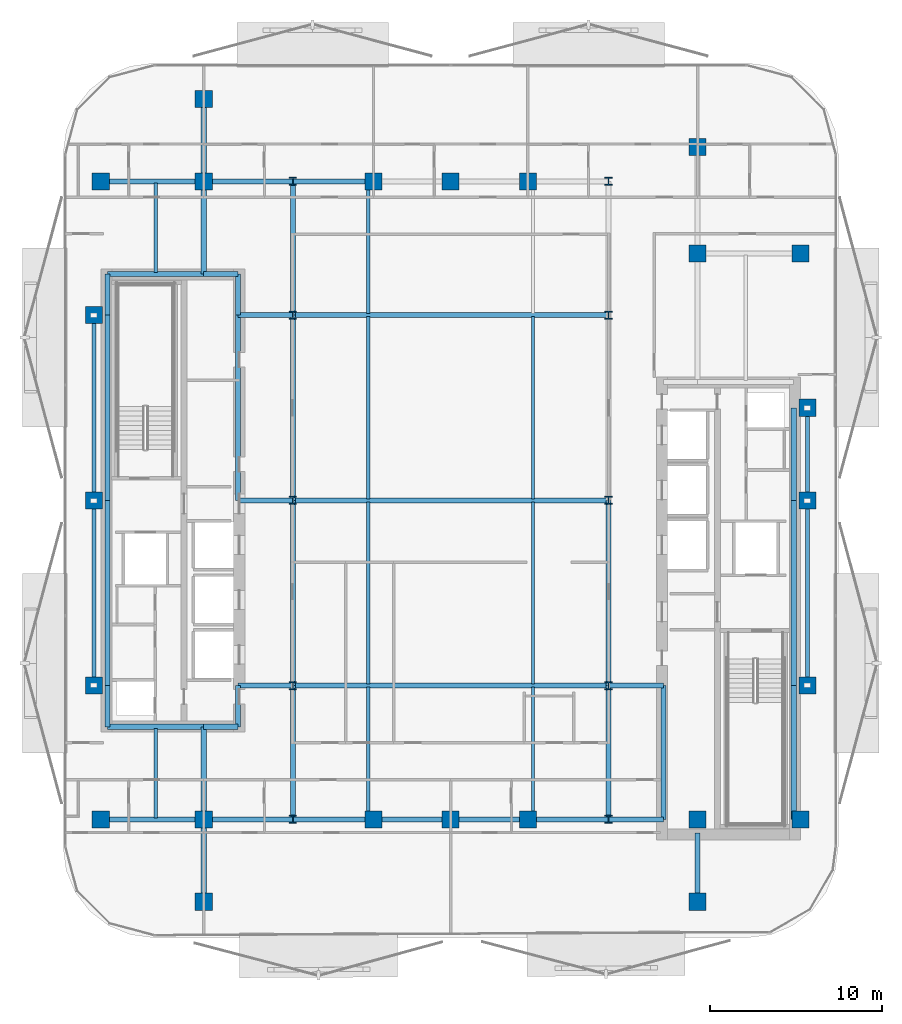
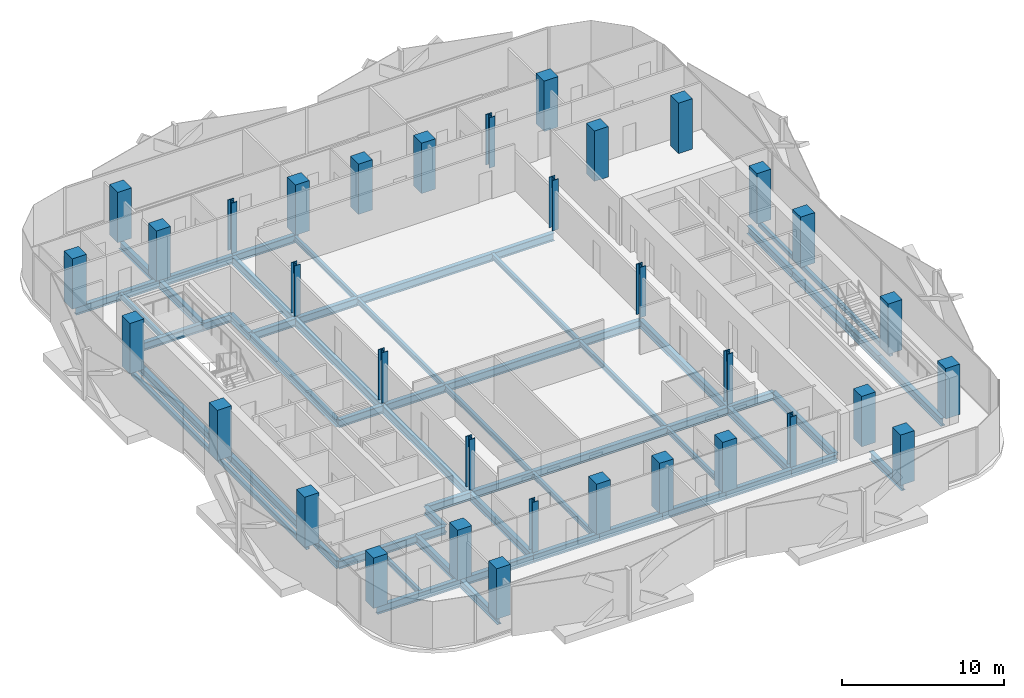
# One storey, part 1 of 17: 56 beams, 34 columns.
"""IFC4 building model written with IfcOpenShell, lengths in metres."""

from ifc_helpers import new_model, si_unit, direction, frame, origin, origin_2d, place, context, subcontext, project, spatial, rectangle, hollow_rectangle, i_section, extrude, material, material_profile, profile_set, type_object, element, save


model = new_model("IFC4")

# Units and contexts
model_context = context("Model", 3, precision=1e-05, world=origin(), true_north=direction((0.0, 1.0)))
body_context = subcontext(model_context, "Body", "Model", "MODEL_VIEW")
ifc_project = project(units=[si_unit("LENGTHUNIT", "METRE"), si_unit("AREAUNIT", "SQUARE_METRE"), si_unit("VOLUMEUNIT", "CUBIC_METRE"), si_unit("PLANEANGLEUNIT", "RADIAN"), si_unit("MASSUNIT", "GRAM", prefix="KILO")], contexts=[model_context])

# Site, building, storey
site_placement = place(None, origin())
site = spatial("IfcSite", under=ifc_project, at=site_placement, CompositionType="ELEMENT")
building_placement = place(site_placement, origin())
building = spatial("IfcBuilding", under=site, at=building_placement, Name="Khairoan Windgate Tower", CompositionType="ELEMENT")
storey_placement = place(building_placement, frame((0.0, 0.0, 165.0)))
storey = spatial("IfcBuildingStorey", under=building, at=storey_placement, Name="L37", CompositionType="ELEMENT", Elevation=165.0)

# Columns
ifc_material_1 = material(Name="Concrete C50/60", Category="concrete")
ifc_material_profile_1 = material_profile(ifc_material_1, rectangle(XDim=1.0, YDim=1.0, at=origin_2d()))
ifc_profile_set_1 = profile_set([ifc_material_profile_1], Name="Concrete C50/60")
column_type_1 = type_object("IfcColumnType", Name="Column C-T4 RC1000x1000", PredefinedType="COLUMN", material=ifc_profile_set_1)
for number, where, z_axis, x_axis, name in (
    (1, (-20.39990234375, -18.60009765625, 0.0), (0.0, 0.0, 1.0), (1.0, 0.0, 0.0), "Column L37-11"),
    (2, (-20.39990234375, 18.60009765625, 0.0), (0.0, 0.0, 1.0), (1.0, 0.0, 0.0), "Column L37-12"),
    (3, (20.39990234375, -18.60009765625, 0.0), (0.0, 0.0, 1.0), (1.0, 0.0, 0.0), "Column L37-13"),
    (4, (20.39990234375, 14.39990234375, 0.0), (0.0, 0.0, 1.0), (1.0, 0.0, 0.0), "Column L37-14"),
    (5, (-14.39990234375, -18.60009765625, 0.0), (0.0, 0.0, 1.0), (1.0, 0.0, 0.0), "Column L37-15"),
    (6, (-14.39990234375, 18.60009765625, 0.0), (0.0, 0.0, 1.0), (1.0, 0.0, 0.0), "Column L37-16"),
    (7, (14.39990234375, -18.60009765625, 0.0), (0.0, 0.0, 1.0), (1.0, 0.0, 0.0), "Column L37-17"),
    (8, (14.39990234375, 14.39990234375, 0.0), (0.0, 0.0, 1.0), (1.0, 0.0, 0.0), "Column L37-18"),
    (9, (-4.5, -18.60009765625, 0.0), (0.0, 0.0, 1.0), (1.0, 0.0, 0.0), "Column L37-19"),
    (10, (0.0, -18.60009765625, 0.0), (0.0, 0.0, 1.0), (1.0, 0.0, 0.0), "Column L37-20"),
    (11, (4.5, -18.60009765625, 0.0), (0.0, 0.0, 1.0), (1.0, 0.0, 0.0), "Column L37-21"),
    (12, (-4.5, 18.60009765625, 0.0), (0.0, 0.0, 1.0), (1.0, 0.0, 0.0), "Column L37-22"),
    (13, (0.0, 18.60009765625, 0.0), (0.0, 0.0, 1.0), (1.0, 0.0, 0.0), "Column L37-23"),
    (14, (4.5, 18.60009765625, 0.0), (0.0, 0.0, 1.0), (1.0, 0.0, 0.0), "Column L37-24"),
    (15, (-20.800048828125, -10.800048828125, 0.0), (0.0, 0.0, 1.0), (1.0, 0.0, 0.0), "Column L37-25"),
    (16, (-20.800048828125, 0.0, 0.0), (0.0, 0.0, 1.0), (1.0, 0.0, 0.0), "Column L37-26"),
    (17, (-20.800048828125, 10.800048828125, 0.0), (0.0, 0.0, 1.0), (1.0, 0.0, 0.0), "Column L37-27"),
    (18, (20.800048828125, -10.800048828125, 0.0), (0.0, 0.0, 1.0), (1.0, 0.0, 0.0), "Column L37-28"),
    (19, (20.800048828125, 0.0, 0.0), (0.0, 0.0, 1.0), (1.0, 0.0, 0.0), "Column L37-29"),
    (20, (20.800048828125, 5.39990234375, 0.0), (0.0, 0.0, 1.0), (1.0, 0.0, 0.0), "Column L37-30"),
    (21, (-14.39990234375, -23.39990234375, 0.0), (0.0, 0.0, 1.0), (1.0, 0.0, 0.0), "Column L37-31"),
    (22, (-14.39990234375, 23.39990234375, 0.0), (0.0, 0.0, 1.0), (1.0, 0.0, 0.0), "Column L37-32"),
    (23, (14.39990234375, -23.39990234375, 0.0), (0.0, 0.0, 1.0), (1.0, 0.0, 0.0), "Column L37-33"),
    (24, (14.39990234375, 20.60009765625, 0.0), (0.0, 0.0, 1.0), (1.0, 0.0, 0.0), "Column L37-34"),
):
    element("IfcColumn", number, at=place(storey_placement, frame(where, z_axis=z_axis, x_axis=x_axis)), inside=storey, type_object=column_type_1, Name=name, PredefinedType="COLUMN", context=body_context, shape_type="SweptSolid", body=[
        extrude(rectangle(XDim=1.0, YDim=1.0, at=origin_2d()), origin(), (0.0, 0.0, 1.0), 3.800048828125),
    ])
ifc_material_2 = material(Name="Steel S355", Category="steel")
ifc_material_profile_2 = material_profile(ifc_material_2, i_section(OverallWidth=0.4169921875, OverallDepth=0.4580078125, WebThickness=0.030029296875, FlangeThickness=0.050048828125, FilletRadius=0.02197265625, at=origin_2d()))
ifc_profile_set_2 = profile_set([ifc_material_profile_2], Name="Steel S355")
column_type_2 = type_object("IfcColumnType", Name="Steel Column SC2 H458x417x30x50", PredefinedType="COLUMN", material=ifc_profile_set_2)
for number, where, z_axis, x_axis, name in (
    (25, (-9.199951171875, -18.60009765625, 0.0), (0.0, 0.0, 1.0), (1.0, 0.0, 0.0), "Column L37-01"),
    (26, (-9.199951171875, -10.800048828125, 0.0), (0.0, 0.0, 1.0), (1.0, 0.0, 0.0), "Column L37-02"),
    (27, (-9.199951171875, 0.0, 0.0), (0.0, 0.0, 1.0), (1.0, 0.0, 0.0), "Column L37-03"),
    (28, (-9.199951171875, 10.800048828125, 0.0), (0.0, 0.0, 1.0), (1.0, 0.0, 0.0), "Column L37-04"),
    (29, (-9.199951171875, 18.60009765625, 0.0), (0.0, 0.0, 1.0), (1.0, 0.0, 0.0), "Column L37-05"),
    (30, (9.199951171875, -18.60009765625, 0.0), (0.0, 0.0, 1.0), (1.0, 0.0, 0.0), "Column L37-06"),
    (31, (9.199951171875, -10.800048828125, 0.0), (0.0, 0.0, 1.0), (1.0, 0.0, 0.0), "Column L37-07"),
    (32, (9.199951171875, 0.0, 0.0), (0.0, 0.0, 1.0), (1.0, 0.0, 0.0), "Column L37-08"),
    (33, (9.199951171875, 10.800048828125, 0.0), (0.0, 0.0, 1.0), (1.0, 0.0, 0.0), "Column L37-09"),
    (34, (9.199951171875, 18.60009765625, 0.0), (0.0, 0.0, 1.0), (1.0, 0.0, 0.0), "Column L37-10"),
):
    element("IfcColumn", number, at=place(storey_placement, frame(where, z_axis=z_axis, x_axis=x_axis)), inside=storey, type_object=column_type_2, Name=name, PredefinedType="COLUMN", context=body_context, shape_type="SweptSolid", body=[
        extrude(i_section(OverallWidth=0.4169921875, OverallDepth=0.4580078125, WebThickness=0.030029296875, FlangeThickness=0.050048828125, FilletRadius=0.02197265625, at=origin_2d()), origin(), (0.0, 0.0, 1.0), 3.800048828125),
    ])

# Beams
ifc_material_3 = material(Name="Steel S355", Category="steel")
ifc_material_profile_3 = material_profile(ifc_material_3, i_section(OverallWidth=0.300048828125, OverallDepth=0.587890625, WebThickness=0.011962890625, FlangeThickness=0.02001953125, FilletRadius=0.02392578125, at=origin_2d()))
ifc_profile_set_3 = profile_set([ifc_material_profile_3], Name="Steel S355")
beam_type_1 = type_object("IfcBeamType", Name="Beam B-G4 H588x300x12x20", PredefinedType="BEAM", material=ifc_profile_set_3)
beam_1_placement = place(storey_placement, frame((-20.39990234375, -18.60009765625, -0.553955078125), z_axis=(1.0, 0.0, 0.0), x_axis=(0.0, 1.0, 0.0)))
element("IfcBeam", 35, at=beam_1_placement, inside=storey, type_object=beam_type_1, Name="L37 E-W Primary Girder 01", PredefinedType="BEAM", context=body_context, shape_type="SweptSolid", body=[
    extrude(i_section(OverallWidth=0.300048828125, OverallDepth=0.587890625, WebThickness=0.011962890625, FlangeThickness=0.02001953125, FilletRadius=0.02392578125, at=origin_2d()), origin(), (0.0, 0.0, 1.0), 6.0),
])
beam_2_placement = place(storey_placement, frame((-14.39990234375, -18.60009765625, -0.553955078125), z_axis=(1.0, 0.0, 0.0), x_axis=(0.0, 1.0, 0.0)))
element("IfcBeam", 36, at=beam_2_placement, inside=storey, type_object=beam_type_1, Name="L37 E-W Primary Girder 02", PredefinedType="BEAM", context=body_context, shape_type="SweptSolid", body=[
    extrude(i_section(OverallWidth=0.300048828125, OverallDepth=0.587890625, WebThickness=0.011962890625, FlangeThickness=0.02001953125, FilletRadius=0.02392578125, at=origin_2d()), origin(), (0.0, 0.0, 1.0), 5.199951171875),
])
beam_3_placement = place(storey_placement, frame((-9.199951171875, -18.60009765625, -0.553955078125), z_axis=(1.0, 0.0, 0.0), x_axis=(0.0, 1.0, 0.0)))
element("IfcBeam", 37, at=beam_3_placement, inside=storey, type_object=beam_type_1, Name="L37 E-W Primary Girder 03", PredefinedType="BEAM", context=body_context, shape_type="SweptSolid", body=[
    extrude(i_section(OverallWidth=0.300048828125, OverallDepth=0.587890625, WebThickness=0.011962890625, FlangeThickness=0.02001953125, FilletRadius=0.02392578125, at=origin_2d()), origin(), (0.0, 0.0, 1.0), 4.699951171875),
])
for number, where, z_axis, x_axis, name in (
    (38, (-4.5, -18.60009765625, -0.553955078125), (1.0, 0.0, 0.0), (0.0, 1.0, 0.0), "L37 E-W Primary Girder 04"),
    (39, (0.0, -18.60009765625, -0.553955078125), (1.0, 0.0, 0.0), (0.0, 1.0, 0.0), "L37 E-W Primary Girder 05"),
):
    element("IfcBeam", number, at=place(storey_placement, frame(where, z_axis=z_axis, x_axis=x_axis)), inside=storey, type_object=beam_type_1, Name=name, PredefinedType="BEAM", context=body_context, shape_type="SweptSolid", body=[
        extrude(i_section(OverallWidth=0.300048828125, OverallDepth=0.587890625, WebThickness=0.011962890625, FlangeThickness=0.02001953125, FilletRadius=0.02392578125, at=origin_2d()), origin(), (0.0, 0.0, 1.0), 4.5),
    ])
beam_4_placement = place(storey_placement, frame((4.5, -18.60009765625, -0.553955078125), z_axis=(1.0, 0.0, 0.0), x_axis=(0.0, 1.0, 0.0)))
element("IfcBeam", 40, at=beam_4_placement, inside=storey, type_object=beam_type_1, Name="L37 E-W Primary Girder 06", PredefinedType="BEAM", context=body_context, shape_type="SweptSolid", body=[
    extrude(i_section(OverallWidth=0.300048828125, OverallDepth=0.587890625, WebThickness=0.011962890625, FlangeThickness=0.02001953125, FilletRadius=0.02392578125, at=origin_2d()), origin(), (0.0, 0.0, 1.0), 4.699951171875),
])
beam_5_placement = place(storey_placement, frame((9.199951171875, -18.60009765625, -0.553955078125), z_axis=(1.0, 0.0, 0.0), x_axis=(0.0, 1.0, 0.0)))
element("IfcBeam", 41, at=beam_5_placement, inside=storey, type_object=beam_type_1, Name="L37 E-W Primary Girder 07", PredefinedType="BEAM", context=body_context, shape_type="SweptSolid", body=[
    extrude(i_section(OverallWidth=0.300048828125, OverallDepth=0.587890625, WebThickness=0.011962890625, FlangeThickness=0.02001953125, FilletRadius=0.02392578125, at=origin_2d()), origin(), (0.0, 0.0, 1.0), 3.199951171875),
])
beam_6_placement = place(storey_placement, frame((-20.0, -13.199951171875, -0.553955078125), z_axis=(1.0, 0.0, 0.0), x_axis=(0.0, 1.0, 0.0)))
element("IfcBeam", 42, at=beam_6_placement, inside=storey, type_object=beam_type_1, Name="L37 E-W Primary Girder 08", PredefinedType="BEAM", context=body_context, shape_type="SweptSolid", body=[
    extrude(i_section(OverallWidth=0.300048828125, OverallDepth=0.587890625, WebThickness=0.011962890625, FlangeThickness=0.02001953125, FilletRadius=0.02392578125, at=origin_2d()), origin(), (0.0, 0.0, 1.0), 5.60009765625),
])
beam_7_placement = place(storey_placement, frame((-14.39990234375, -13.199951171875, -0.553955078125), z_axis=(1.0, 0.0, 0.0), x_axis=(0.0, 1.0, 0.0)))
element("IfcBeam", 43, at=beam_7_placement, inside=storey, type_object=beam_type_1, Name="L37 E-W Primary Girder 09", PredefinedType="BEAM", context=body_context, shape_type="SweptSolid", body=[
    extrude(i_section(OverallWidth=0.300048828125, OverallDepth=0.587890625, WebThickness=0.011962890625, FlangeThickness=0.02001953125, FilletRadius=0.02392578125, at=origin_2d()), origin(), (0.0, 0.0, 1.0), 2.0),
])
beam_8_placement = place(storey_placement, frame((-12.39990234375, -10.800048828125, -0.553955078125), z_axis=(1.0, 0.0, 0.0), x_axis=(0.0, 1.0, 0.0)))
element("IfcBeam", 44, at=beam_8_placement, inside=storey, type_object=beam_type_1, Name="L37 E-W Primary Girder 10", PredefinedType="BEAM", context=body_context, shape_type="SweptSolid", body=[
    extrude(i_section(OverallWidth=0.300048828125, OverallDepth=0.587890625, WebThickness=0.011962890625, FlangeThickness=0.02001953125, FilletRadius=0.02392578125, at=origin_2d()), origin(), (0.0, 0.0, 1.0), 3.199951171875),
])
beam_9_placement = place(storey_placement, frame((-9.199951171875, -10.800048828125, -0.553955078125), z_axis=(1.0, 0.0, 0.0), x_axis=(0.0, 1.0, 0.0)))
element("IfcBeam", 45, at=beam_9_placement, inside=storey, type_object=beam_type_1, Name="L37 E-W Primary Girder 11", PredefinedType="BEAM", context=body_context, shape_type="SweptSolid", body=[
    extrude(i_section(OverallWidth=0.300048828125, OverallDepth=0.587890625, WebThickness=0.011962890625, FlangeThickness=0.02001953125, FilletRadius=0.02392578125, at=origin_2d()), origin(), (0.0, 0.0, 1.0), 18.39990234375),
])
for number, where, z_axis, x_axis, name in (
    (46, (9.199951171875, -10.800048828125, -0.553955078125), (1.0, 0.0, 0.0), (0.0, 1.0, 0.0), "L37 E-W Primary Girder 12"),
    (47, (-12.39990234375, 0.0, -0.553955078125), (1.0, 0.0, 0.0), (0.0, 1.0, 0.0), "L37 E-W Primary Girder 13"),
):
    element("IfcBeam", number, at=place(storey_placement, frame(where, z_axis=z_axis, x_axis=x_axis)), inside=storey, type_object=beam_type_1, Name=name, PredefinedType="BEAM", context=body_context, shape_type="SweptSolid", body=[
        extrude(i_section(OverallWidth=0.300048828125, OverallDepth=0.587890625, WebThickness=0.011962890625, FlangeThickness=0.02001953125, FilletRadius=0.02392578125, at=origin_2d()), origin(), (0.0, 0.0, 1.0), 3.199951171875),
    ])
beam_10_placement = place(storey_placement, frame((-9.199951171875, 0.0, -0.553955078125), z_axis=(1.0, 0.0, 0.0), x_axis=(0.0, 1.0, 0.0)))
element("IfcBeam", 48, at=beam_10_placement, inside=storey, type_object=beam_type_1, Name="L37 E-W Primary Girder 14", PredefinedType="BEAM", context=body_context, shape_type="SweptSolid", body=[
    extrude(i_section(OverallWidth=0.300048828125, OverallDepth=0.587890625, WebThickness=0.011962890625, FlangeThickness=0.02001953125, FilletRadius=0.02392578125, at=origin_2d()), origin(), (0.0, 0.0, 1.0), 18.39990234375),
])
beam_11_placement = place(storey_placement, frame((-12.39990234375, 10.800048828125, -0.553955078125), z_axis=(1.0, 0.0, 0.0), x_axis=(0.0, 1.0, 0.0)))
element("IfcBeam", 49, at=beam_11_placement, inside=storey, type_object=beam_type_1, Name="L37 E-W Primary Girder 17", PredefinedType="BEAM", context=body_context, shape_type="SweptSolid", body=[
    extrude(i_section(OverallWidth=0.300048828125, OverallDepth=0.587890625, WebThickness=0.011962890625, FlangeThickness=0.02001953125, FilletRadius=0.02392578125, at=origin_2d()), origin(), (0.0, 0.0, 1.0), 3.199951171875),
])
beam_12_placement = place(storey_placement, frame((-9.199951171875, 10.800048828125, -0.553955078125), z_axis=(1.0, 0.0, 0.0), x_axis=(0.0, 1.0, 0.0)))
element("IfcBeam", 50, at=beam_12_placement, inside=storey, type_object=beam_type_1, Name="L37 E-W Primary Girder 18", PredefinedType="BEAM", context=body_context, shape_type="SweptSolid", body=[
    extrude(i_section(OverallWidth=0.300048828125, OverallDepth=0.587890625, WebThickness=0.011962890625, FlangeThickness=0.02001953125, FilletRadius=0.02392578125, at=origin_2d()), origin(), (0.0, 0.0, 1.0), 18.39990234375),
])
beam_13_placement = place(storey_placement, frame((-20.0, 13.199951171875, -0.553955078125), z_axis=(1.0, 0.0, 0.0), x_axis=(0.0, 1.0, 0.0)))
element("IfcBeam", 51, at=beam_13_placement, inside=storey, type_object=beam_type_1, Name="L37 E-W Primary Girder 19", PredefinedType="BEAM", context=body_context, shape_type="SweptSolid", body=[
    extrude(i_section(OverallWidth=0.300048828125, OverallDepth=0.587890625, WebThickness=0.011962890625, FlangeThickness=0.02001953125, FilletRadius=0.02392578125, at=origin_2d()), origin(), (0.0, 0.0, 1.0), 5.60009765625),
])
beam_14_placement = place(storey_placement, frame((-14.39990234375, 13.199951171875, -0.553955078125), z_axis=(1.0, 0.0, 0.0), x_axis=(0.0, 1.0, 0.0)))
element("IfcBeam", 52, at=beam_14_placement, inside=storey, type_object=beam_type_1, Name="L37 E-W Primary Girder 20", PredefinedType="BEAM", context=body_context, shape_type="SweptSolid", body=[
    extrude(i_section(OverallWidth=0.300048828125, OverallDepth=0.587890625, WebThickness=0.011962890625, FlangeThickness=0.02001953125, FilletRadius=0.02392578125, at=origin_2d()), origin(), (0.0, 0.0, 1.0), 2.0),
])
beam_15_placement = place(storey_placement, frame((-20.39990234375, 18.60009765625, -0.553955078125), z_axis=(1.0, 0.0, 0.0), x_axis=(0.0, 1.0, 0.0)))
element("IfcBeam", 53, at=beam_15_placement, inside=storey, type_object=beam_type_1, Name="L37 E-W Primary Girder 22", PredefinedType="BEAM", context=body_context, shape_type="SweptSolid", body=[
    extrude(i_section(OverallWidth=0.300048828125, OverallDepth=0.587890625, WebThickness=0.011962890625, FlangeThickness=0.02001953125, FilletRadius=0.02392578125, at=origin_2d()), origin(), (0.0, 0.0, 1.0), 6.0),
])
beam_16_placement = place(storey_placement, frame((-14.39990234375, 18.60009765625, -0.553955078125), z_axis=(1.0, 0.0, 0.0), x_axis=(0.0, 1.0, 0.0)))
element("IfcBeam", 54, at=beam_16_placement, inside=storey, type_object=beam_type_1, Name="L37 E-W Primary Girder 23", PredefinedType="BEAM", context=body_context, shape_type="SweptSolid", body=[
    extrude(i_section(OverallWidth=0.300048828125, OverallDepth=0.587890625, WebThickness=0.011962890625, FlangeThickness=0.02001953125, FilletRadius=0.02392578125, at=origin_2d()), origin(), (0.0, 0.0, 1.0), 5.199951171875),
])
beam_17_placement = place(storey_placement, frame((-9.199951171875, 18.60009765625, -0.553955078125), z_axis=(1.0, 0.0, 0.0), x_axis=(0.0, 1.0, 0.0)))
element("IfcBeam", 55, at=beam_17_placement, inside=storey, type_object=beam_type_1, Name="L37 E-W Primary Girder 24", PredefinedType="BEAM", context=body_context, shape_type="SweptSolid", body=[
    extrude(i_section(OverallWidth=0.300048828125, OverallDepth=0.587890625, WebThickness=0.011962890625, FlangeThickness=0.02001953125, FilletRadius=0.02392578125, at=origin_2d()), origin(), (0.0, 0.0, 1.0), 4.699951171875),
])
beam_18_placement = place(storey_placement, frame((-20.0, -13.199951171875, -0.553955078125), z_axis=(0.0, 1.0, 0.0), x_axis=(-1.0, 0.0, 0.0)))
element("IfcBeam", 56, at=beam_18_placement, inside=storey, type_object=beam_type_1, Name="L37 N-S Primary Beam 30", PredefinedType="BEAM", context=body_context, shape_type="SweptSolid", body=[
    extrude(i_section(OverallWidth=0.300048828125, OverallDepth=0.587890625, WebThickness=0.011962890625, FlangeThickness=0.02001953125, FilletRadius=0.02392578125, at=origin_2d()), origin(), (0.0, 0.0, 1.0), 2.39990234375),
])
for number, where, z_axis, x_axis, name in (
    (57, (-20.0, -10.800048828125, -0.553955078125), (0.0, 1.0, 0.0), (-1.0, 0.0, 0.0), "L37 N-S Primary Beam 31"),
    (58, (-20.0, 0.0, -0.553955078125), (0.0, 1.0, 0.0), (-1.0, 0.0, 0.0), "L37 N-S Primary Beam 32"),
):
    element("IfcBeam", number, at=place(storey_placement, frame(where, z_axis=z_axis, x_axis=x_axis)), inside=storey, type_object=beam_type_1, Name=name, PredefinedType="BEAM", context=body_context, shape_type="SweptSolid", body=[
        extrude(i_section(OverallWidth=0.300048828125, OverallDepth=0.587890625, WebThickness=0.011962890625, FlangeThickness=0.02001953125, FilletRadius=0.02392578125, at=origin_2d()), origin(), (0.0, 0.0, 1.0), 10.800048828125),
    ])
beam_19_placement = place(storey_placement, frame((-20.0, 10.800048828125, -0.553955078125), z_axis=(0.0, 1.0, 0.0), x_axis=(-1.0, 0.0, 0.0)))
element("IfcBeam", 59, at=beam_19_placement, inside=storey, type_object=beam_type_1, Name="L37 N-S Primary Beam 33", PredefinedType="BEAM", context=body_context, shape_type="SweptSolid", body=[
    extrude(i_section(OverallWidth=0.300048828125, OverallDepth=0.587890625, WebThickness=0.011962890625, FlangeThickness=0.02001953125, FilletRadius=0.02392578125, at=origin_2d()), origin(), (0.0, 0.0, 1.0), 2.39990234375),
])
beam_20_placement = place(storey_placement, frame((-14.39990234375, -23.39990234375, -0.553955078125), z_axis=(0.0, 1.0, 0.0), x_axis=(-1.0, 0.0, 0.0)))
element("IfcBeam", 60, at=beam_20_placement, inside=storey, type_object=beam_type_1, Name="L37 N-S Primary Beam 34", PredefinedType="BEAM", context=body_context, shape_type="SweptSolid", body=[
    extrude(i_section(OverallWidth=0.300048828125, OverallDepth=0.587890625, WebThickness=0.011962890625, FlangeThickness=0.02001953125, FilletRadius=0.02392578125, at=origin_2d()), origin(), (0.0, 0.0, 1.0), 4.7998046875),
])
for number, where, z_axis, x_axis, name in (
    (61, (-14.39990234375, -18.60009765625, -0.553955078125), (0.0, 1.0, 0.0), (-1.0, 0.0, 0.0), "L37 N-S Primary Beam 35"),
    (62, (-14.39990234375, 13.199951171875, -0.553955078125), (0.0, 1.0, 0.0), (-1.0, 0.0, 0.0), "L37 N-S Primary Beam 36"),
):
    element("IfcBeam", number, at=place(storey_placement, frame(where, z_axis=z_axis, x_axis=x_axis)), inside=storey, type_object=beam_type_1, Name=name, PredefinedType="BEAM", context=body_context, shape_type="SweptSolid", body=[
        extrude(i_section(OverallWidth=0.300048828125, OverallDepth=0.587890625, WebThickness=0.011962890625, FlangeThickness=0.02001953125, FilletRadius=0.02392578125, at=origin_2d()), origin(), (0.0, 0.0, 1.0), 5.400146484375),
    ])
beam_21_placement = place(storey_placement, frame((-14.39990234375, 18.60009765625, -0.553955078125), z_axis=(0.0, 1.0, 0.0), x_axis=(-1.0, 0.0, 0.0)))
element("IfcBeam", 63, at=beam_21_placement, inside=storey, type_object=beam_type_1, Name="L37 N-S Primary Beam 37", PredefinedType="BEAM", context=body_context, shape_type="SweptSolid", body=[
    extrude(i_section(OverallWidth=0.300048828125, OverallDepth=0.587890625, WebThickness=0.011962890625, FlangeThickness=0.02001953125, FilletRadius=0.02392578125, at=origin_2d()), origin(), (0.0, 0.0, 1.0), 4.7998046875),
])
beam_22_placement = place(storey_placement, frame((-12.39990234375, -13.199951171875, -0.553955078125), z_axis=(0.0, 1.0, 0.0), x_axis=(-1.0, 0.0, 0.0)))
element("IfcBeam", 64, at=beam_22_placement, inside=storey, type_object=beam_type_1, Name="L37 N-S Primary Beam 38", PredefinedType="BEAM", context=body_context, shape_type="SweptSolid", body=[
    extrude(i_section(OverallWidth=0.300048828125, OverallDepth=0.587890625, WebThickness=0.011962890625, FlangeThickness=0.02001953125, FilletRadius=0.02392578125, at=origin_2d()), origin(), (0.0, 0.0, 1.0), 2.39990234375),
])
beam_23_placement = place(storey_placement, frame((-12.39990234375, 0.0, -0.553955078125), z_axis=(0.0, 1.0, 0.0), x_axis=(-1.0, 0.0, 0.0)))
element("IfcBeam", 65, at=beam_23_placement, inside=storey, type_object=beam_type_1, Name="L37 N-S Primary Beam 39", PredefinedType="BEAM", context=body_context, shape_type="SweptSolid", body=[
    extrude(i_section(OverallWidth=0.300048828125, OverallDepth=0.587890625, WebThickness=0.011962890625, FlangeThickness=0.02001953125, FilletRadius=0.02392578125, at=origin_2d()), origin(), (0.0, 0.0, 1.0), 10.800048828125),
])
beam_24_placement = place(storey_placement, frame((-12.39990234375, 10.800048828125, -0.553955078125), z_axis=(0.0, 1.0, 0.0), x_axis=(-1.0, 0.0, 0.0)))
element("IfcBeam", 66, at=beam_24_placement, inside=storey, type_object=beam_type_1, Name="L37 N-S Primary Beam 40", PredefinedType="BEAM", context=body_context, shape_type="SweptSolid", body=[
    extrude(i_section(OverallWidth=0.300048828125, OverallDepth=0.587890625, WebThickness=0.011962890625, FlangeThickness=0.02001953125, FilletRadius=0.02392578125, at=origin_2d()), origin(), (0.0, 0.0, 1.0), 2.39990234375),
])
beam_25_placement = place(storey_placement, frame((-9.199951171875, -18.60009765625, -0.553955078125), z_axis=(0.0, 1.0, 0.0), x_axis=(-1.0, 0.0, 0.0)))
element("IfcBeam", 67, at=beam_25_placement, inside=storey, type_object=beam_type_1, Name="L37 N-S Primary Beam 41", PredefinedType="BEAM", context=body_context, shape_type="SweptSolid", body=[
    extrude(i_section(OverallWidth=0.300048828125, OverallDepth=0.587890625, WebThickness=0.011962890625, FlangeThickness=0.02001953125, FilletRadius=0.02392578125, at=origin_2d()), origin(), (0.0, 0.0, 1.0), 7.800048828125),
])
for number, where, z_axis, x_axis, name in (
    (68, (-9.199951171875, -10.800048828125, -0.553955078125), (0.0, 1.0, 0.0), (-1.0, 0.0, 0.0), "L37 N-S Primary Beam 42"),
    (69, (-9.199951171875, 0.0, -0.553955078125), (0.0, 1.0, 0.0), (-1.0, 0.0, 0.0), "L37 N-S Primary Beam 43"),
):
    element("IfcBeam", number, at=place(storey_placement, frame(where, z_axis=z_axis, x_axis=x_axis)), inside=storey, type_object=beam_type_1, Name=name, PredefinedType="BEAM", context=body_context, shape_type="SweptSolid", body=[
        extrude(i_section(OverallWidth=0.300048828125, OverallDepth=0.587890625, WebThickness=0.011962890625, FlangeThickness=0.02001953125, FilletRadius=0.02392578125, at=origin_2d()), origin(), (0.0, 0.0, 1.0), 10.800048828125),
    ])
for number, where, z_axis, x_axis, name in (
    (70, (-9.199951171875, 10.800048828125, -0.553955078125), (0.0, 1.0, 0.0), (-1.0, 0.0, 0.0), "L37 N-S Primary Beam 44"),
    (71, (9.199951171875, -18.60009765625, -0.553955078125), (0.0, 1.0, 0.0), (-1.0, 0.0, 0.0), "L37 N-S Primary Beam 45"),
):
    element("IfcBeam", number, at=place(storey_placement, frame(where, z_axis=z_axis, x_axis=x_axis)), inside=storey, type_object=beam_type_1, Name=name, PredefinedType="BEAM", context=body_context, shape_type="SweptSolid", body=[
        extrude(i_section(OverallWidth=0.300048828125, OverallDepth=0.587890625, WebThickness=0.011962890625, FlangeThickness=0.02001953125, FilletRadius=0.02392578125, at=origin_2d()), origin(), (0.0, 0.0, 1.0), 7.800048828125),
    ])
beam_26_placement = place(storey_placement, frame((9.199951171875, -10.800048828125, -0.553955078125), z_axis=(0.0, 1.0, 0.0), x_axis=(-1.0, 0.0, 0.0)))
element("IfcBeam", 72, at=beam_26_placement, inside=storey, type_object=beam_type_1, Name="L37 N-S Primary Beam 46", PredefinedType="BEAM", context=body_context, shape_type="SweptSolid", body=[
    extrude(i_section(OverallWidth=0.300048828125, OverallDepth=0.587890625, WebThickness=0.011962890625, FlangeThickness=0.02001953125, FilletRadius=0.02392578125, at=origin_2d()), origin(), (0.0, 0.0, 1.0), 10.800048828125),
])
beam_27_placement = place(storey_placement, frame((12.39990234375, -18.60009765625, -0.553955078125), z_axis=(0.0, 1.0, 0.0), x_axis=(-1.0, 0.0, 0.0)))
element("IfcBeam", 73, at=beam_27_placement, inside=storey, type_object=beam_type_1, Name="L37 N-S Primary Beam 49", PredefinedType="BEAM", context=body_context, shape_type="SweptSolid", body=[
    extrude(i_section(OverallWidth=0.300048828125, OverallDepth=0.587890625, WebThickness=0.011962890625, FlangeThickness=0.02001953125, FilletRadius=0.02392578125, at=origin_2d()), origin(), (0.0, 0.0, 1.0), 7.800048828125),
])
beam_28_placement = place(storey_placement, frame((14.39990234375, -23.39990234375, -0.553955078125), z_axis=(0.0, 1.0, 0.0), x_axis=(-1.0, 0.0, 0.0)))
element("IfcBeam", 74, at=beam_28_placement, inside=storey, type_object=beam_type_1, Name="L37 N-S Primary Beam 50", PredefinedType="BEAM", context=body_context, shape_type="SweptSolid", body=[
    extrude(i_section(OverallWidth=0.300048828125, OverallDepth=0.587890625, WebThickness=0.011962890625, FlangeThickness=0.02001953125, FilletRadius=0.02392578125, at=origin_2d()), origin(), (0.0, 0.0, 1.0), 4.0),
])
beam_29_placement = place(storey_placement, frame((20.0, -18.60009765625, -0.553955078125), z_axis=(0.0, 1.0, 0.0), x_axis=(-1.0, 0.0, 0.0)))
element("IfcBeam", 75, at=beam_29_placement, inside=storey, type_object=beam_type_1, Name="L37 N-S Primary Beam 53", PredefinedType="BEAM", context=body_context, shape_type="SweptSolid", body=[
    extrude(i_section(OverallWidth=0.300048828125, OverallDepth=0.587890625, WebThickness=0.011962890625, FlangeThickness=0.02001953125, FilletRadius=0.02392578125, at=origin_2d()), origin(), (0.0, 0.0, 1.0), 7.800048828125),
])
beam_30_placement = place(storey_placement, frame((20.0, -10.800048828125, -0.553955078125), z_axis=(0.0, 1.0, 0.0), x_axis=(-1.0, 0.0, 0.0)))
element("IfcBeam", 76, at=beam_30_placement, inside=storey, type_object=beam_type_1, Name="L37 N-S Primary Beam 54", PredefinedType="BEAM", context=body_context, shape_type="SweptSolid", body=[
    extrude(i_section(OverallWidth=0.300048828125, OverallDepth=0.587890625, WebThickness=0.011962890625, FlangeThickness=0.02001953125, FilletRadius=0.02392578125, at=origin_2d()), origin(), (0.0, 0.0, 1.0), 10.800048828125),
])
beam_31_placement = place(storey_placement, frame((20.0, 0.0, -0.553955078125), z_axis=(0.0, 1.0, 0.0), x_axis=(-1.0, 0.0, 0.0)))
element("IfcBeam", 77, at=beam_31_placement, inside=storey, type_object=beam_type_1, Name="L37 N-S Primary Beam 55", PredefinedType="BEAM", context=body_context, shape_type="SweptSolid", body=[
    extrude(i_section(OverallWidth=0.300048828125, OverallDepth=0.587890625, WebThickness=0.011962890625, FlangeThickness=0.02001953125, FilletRadius=0.02392578125, at=origin_2d()), origin(), (0.0, 0.0, 1.0), 5.39990234375),
])
ifc_material_4 = material(Name="Steel S355", Category="steel")
ifc_material_profile_4 = material_profile(ifc_material_4, i_section(OverallWidth=0.199951171875, OverallDepth=0.39990234375, WebThickness=0.008056640625, FlangeThickness=0.012939453125, FilletRadius=0.01611328125, at=origin_2d()))
ifc_profile_set_4 = profile_set([ifc_material_profile_4], Name="Steel S355")
beam_type_2 = type_object("IfcBeamType", Name="Beam J-S4 H400x200x8x13", PredefinedType="JOIST", material=ifc_profile_set_4)
for number, where, z_axis, x_axis, name in (
    (78, (-17.199951171875, -18.510009765625, -0.4599609375), (0.0, 1.0, 0.0), (-1.0, 0.0, 0.0), "L37 Secondary Floor Joist 01"),
    (79, (-17.199951171875, 13.2900390625, -0.4599609375), (0.0, 1.0, 0.0), (-1.0, 0.0, 0.0), "L37 Secondary Floor Joist 02"),
):
    element("IfcBeam", number, at=place(storey_placement, frame(where, z_axis=z_axis, x_axis=x_axis)), inside=storey, type_object=beam_type_2, Name=name, PredefinedType="JOIST", context=body_context, shape_type="SweptSolid", body=[
        extrude(i_section(OverallWidth=0.199951171875, OverallDepth=0.39990234375, WebThickness=0.008056640625, FlangeThickness=0.012939453125, FilletRadius=0.01611328125, at=origin_2d()), origin(), (0.0, 0.0, 1.0), 5.219970703125),
    ])
beam_32_placement = place(storey_placement, frame((-4.800048828125, -18.510009765625, -0.4599609375), z_axis=(0.0, 1.0, 0.0), x_axis=(-1.0, 0.0, 0.0)))
element("IfcBeam", 80, at=beam_32_placement, inside=storey, type_object=beam_type_2, Name="L37 Secondary Floor Joist 03", PredefinedType="JOIST", context=body_context, shape_type="SweptSolid", body=[
    extrude(i_section(OverallWidth=0.199951171875, OverallDepth=0.39990234375, WebThickness=0.008056640625, FlangeThickness=0.012939453125, FilletRadius=0.01611328125, at=origin_2d()), origin(), (0.0, 0.0, 1.0), 7.6201171875),
])
for number, where, z_axis, x_axis, name in (
    (81, (-4.800048828125, -10.7099609375, -0.4599609375), (0.0, 1.0, 0.0), (-1.0, 0.0, 0.0), "L37 Secondary Floor Joist 04"),
    (82, (-4.800048828125, 0.090087890625, -0.4599609375), (0.0, 1.0, 0.0), (-1.0, 0.0, 0.0), "L37 Secondary Floor Joist 05"),
):
    element("IfcBeam", number, at=place(storey_placement, frame(where, z_axis=z_axis, x_axis=x_axis)), inside=storey, type_object=beam_type_2, Name=name, PredefinedType="JOIST", context=body_context, shape_type="SweptSolid", body=[
        extrude(i_section(OverallWidth=0.199951171875, OverallDepth=0.39990234375, WebThickness=0.008056640625, FlangeThickness=0.012939453125, FilletRadius=0.01611328125, at=origin_2d()), origin(), (0.0, 0.0, 1.0), 10.619873046875),
    ])
for number, where, z_axis, x_axis, name in (
    (83, (-4.800048828125, 10.889892578125, -0.4599609375), (0.0, 1.0, 0.0), (-1.0, 0.0, 0.0), "L37 Secondary Floor Joist 06"),
    (84, (4.800048828125, -18.510009765625, -0.4599609375), (0.0, 1.0, 0.0), (-1.0, 0.0, 0.0), "L37 Secondary Floor Joist 07"),
):
    element("IfcBeam", number, at=place(storey_placement, frame(where, z_axis=z_axis, x_axis=x_axis)), inside=storey, type_object=beam_type_2, Name=name, PredefinedType="JOIST", context=body_context, shape_type="SweptSolid", body=[
        extrude(i_section(OverallWidth=0.199951171875, OverallDepth=0.39990234375, WebThickness=0.008056640625, FlangeThickness=0.012939453125, FilletRadius=0.01611328125, at=origin_2d()), origin(), (0.0, 0.0, 1.0), 7.6201171875),
    ])
for number, where, z_axis, x_axis, name in (
    (85, (4.800048828125, -10.7099609375, -0.4599609375), (0.0, 1.0, 0.0), (-1.0, 0.0, 0.0), "L37 Secondary Floor Joist 08"),
    (86, (4.800048828125, 0.090087890625, -0.4599609375), (0.0, 1.0, 0.0), (-1.0, 0.0, 0.0), "L37 Secondary Floor Joist 09"),
):
    element("IfcBeam", number, at=place(storey_placement, frame(where, z_axis=z_axis, x_axis=x_axis)), inside=storey, type_object=beam_type_2, Name=name, PredefinedType="JOIST", context=body_context, shape_type="SweptSolid", body=[
        extrude(i_section(OverallWidth=0.199951171875, OverallDepth=0.39990234375, WebThickness=0.008056640625, FlangeThickness=0.012939453125, FilletRadius=0.01611328125, at=origin_2d()), origin(), (0.0, 0.0, 1.0), 10.619873046875),
    ])
ifc_material_5 = material(Name="Steel S355", Category="steel")
ifc_material_profile_5 = material_profile(ifc_material_5, hollow_rectangle(XDim=0.25, YDim=0.35009765625, WallThickness=0.012451171875, InnerFilletRadius=0.012451171875, OuterFilletRadius=0.02490234375, at=origin_2d()))
ifc_profile_set_5 = profile_set([ifc_material_profile_5], Name="Steel S355")
beam_type_3 = type_object("IfcBeamType", Name="Beam SP-B2 RHS350x250x12.5", PredefinedType="SPANDREL", material=ifc_profile_set_5)
for number, where, z_axis, x_axis, name in (
    (87, (-20.800048828125, -10.800048828125, -0.43505859375), (0.0, 1.0, 0.0), (-1.0, 0.0, 0.0), "L37 Spandrel Beam 28"),
    (88, (-20.800048828125, 0.0, -0.43505859375), (0.0, 1.0, 0.0), (-1.0, 0.0, 0.0), "L37 Spandrel Beam 29"),
    (89, (20.800048828125, -10.800048828125, -0.43505859375), (0.0, 1.0, 0.0), (-1.0, 0.0, 0.0), "L37 Spandrel Beam 56"),
):
    element("IfcBeam", number, at=place(storey_placement, frame(where, z_axis=z_axis, x_axis=x_axis)), inside=storey, type_object=beam_type_3, Name=name, PredefinedType="SPANDREL", context=body_context, shape_type="SweptSolid", body=[
        extrude(hollow_rectangle(XDim=0.25, YDim=0.35009765625, WallThickness=0.012451171875, InnerFilletRadius=0.012451171875, OuterFilletRadius=0.02490234375, at=origin_2d()), origin(), (0.0, 0.0, 1.0), 10.800048828125),
    ])
beam_33_placement = place(storey_placement, frame((20.800048828125, 0.0, -0.43505859375), z_axis=(0.0, 1.0, 0.0), x_axis=(-1.0, 0.0, 0.0)))
element("IfcBeam", 90, at=beam_33_placement, inside=storey, type_object=beam_type_3, Name="L37 Spandrel Beam 57", PredefinedType="SPANDREL", context=body_context, shape_type="SweptSolid", body=[
    extrude(hollow_rectangle(XDim=0.25, YDim=0.35009765625, WallThickness=0.012451171875, InnerFilletRadius=0.012451171875, OuterFilletRadius=0.02490234375, at=origin_2d()), origin(), (0.0, 0.0, 1.0), 5.39990234375),
])

save(model, "model.ifc")
